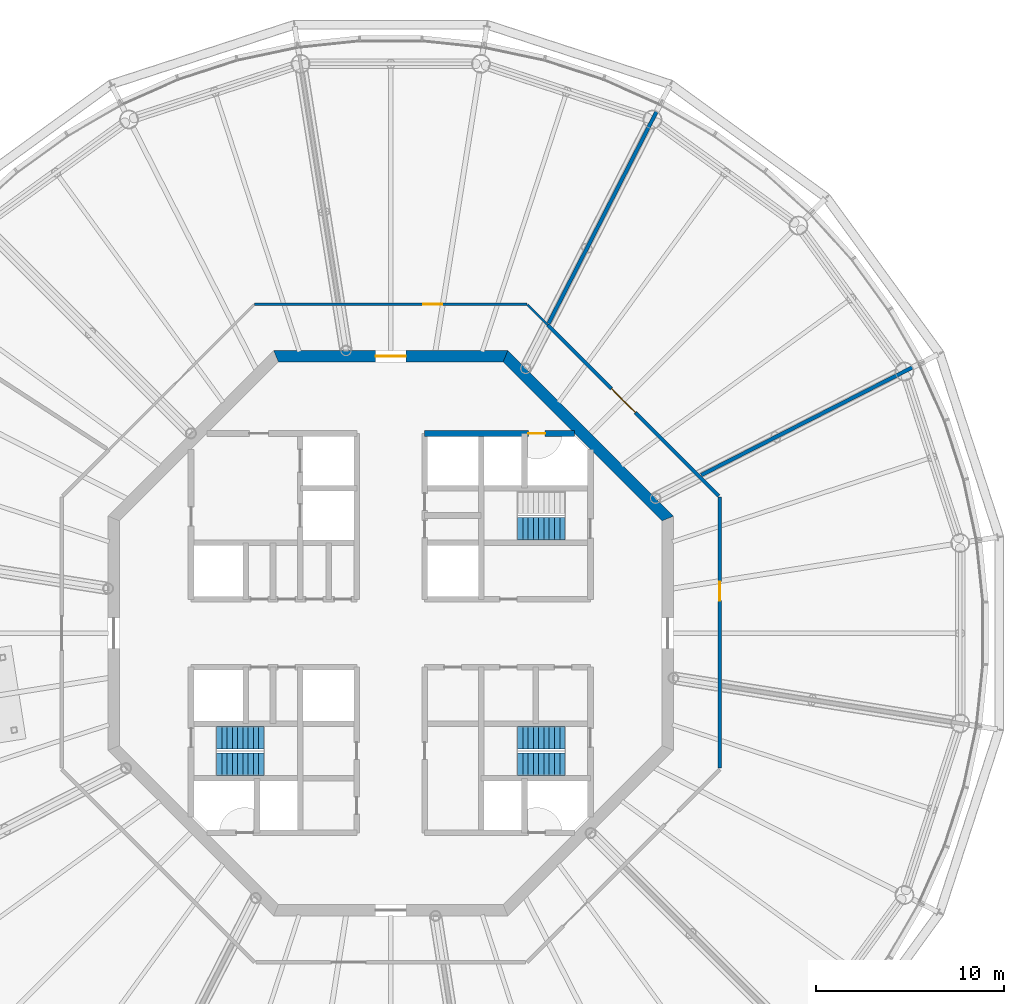
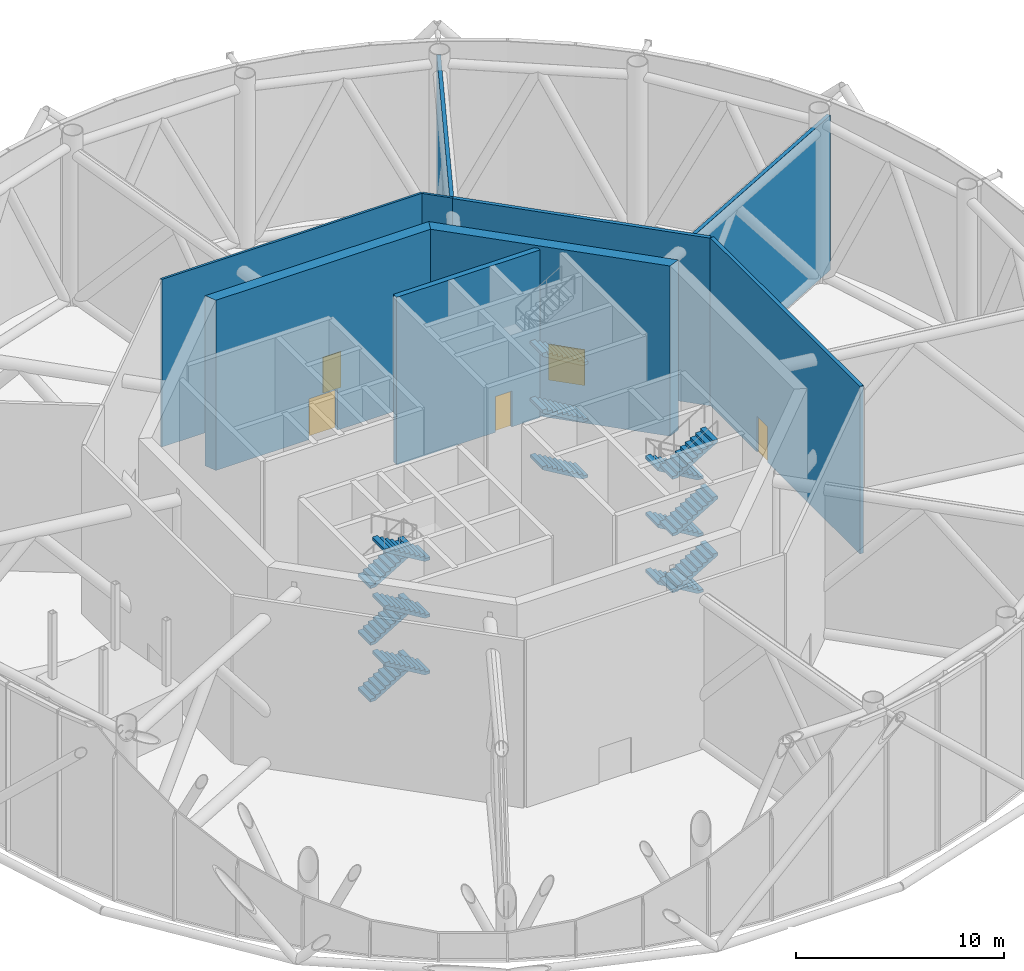
# One storey, part 8 of 23: 15 stair flights, 9 walls, 5 doors, 5 openings, 3 elements without a shape of their own.
"""IFC4 building model written with IfcOpenShell, lengths in metres."""

from ifc_helpers import new_model, si_unit, direction, frame, frame_2d, origin, place, context, subcontext, project, spatial, polyline, rectangle, outline, extrude, material, layer, layer_set, type_object, element, fill, aggregate, save


model = new_model("IFC4")

# Units and contexts
model_context = context("Model", 3, precision=1e-05, world=origin(), true_north=direction((0.0, 1.0)))
body_context = subcontext(model_context, "Body", "Model", "MODEL_VIEW")
ifc_project = project(units=[si_unit("LENGTHUNIT", "METRE"), si_unit("AREAUNIT", "SQUARE_METRE"), si_unit("VOLUMEUNIT", "CUBIC_METRE"), si_unit("PLANEANGLEUNIT", "RADIAN"), si_unit("MASSUNIT", "GRAM", prefix="KILO")], contexts=[model_context])

# Site, building, storey
site_placement = place(None, origin())
site = spatial("IfcSite", under=ifc_project, at=site_placement, CompositionType="ELEMENT")
building_placement = place(site_placement, origin())
building = spatial("IfcBuilding", under=site, at=building_placement, Name="Entoto Ring Tower", CompositionType="ELEMENT")
storey_placement = place(building_placement, frame((0.0, 0.0, 392.0)))
storey = spatial("IfcBuildingStorey", under=building, at=storey_placement, Name="L91", CompositionType="ELEMENT", Elevation=392.0)

# Wall, opening, door
ifc_material_1 = material(Name="Concrete C40/50", Category="concrete")
ifc_layer_1 = layer(ifc_material_1, 0.300048828125)
ifc_layer_set_1 = layer_set([ifc_layer_1], Name="Concrete C40/50")
wall_type_1 = type_object("IfcWallType", Name="Core enclosure wall 300 mm reinforced concrete", PredefinedType="SOLIDWALL", material=ifc_layer_set_1)
wall_1_placement = place(storey_placement, frame((91.800048828125, 90.60009765625, 0.0), z_axis=(0.0, 0.0, 1.0), x_axis=(1.0, 0.0, 0.0)))
wall_1 = element("IfcWall", 1, at=wall_1_placement, inside=storey, type_object=wall_type_1, Name="wall-L91-038", PredefinedType="SOLIDWALL", context=body_context, shape_type="SweptSolid", body=[
    extrude(rectangle(XDim=7.964599609375, YDim=0.300048828125, at=frame_2d((3.982421875, 0.0))), origin(), (0.0, 0.0, 1.0), 9.85009765625),
])
opening_1_placement = place(wall_1_placement, frame((5.5, 0.0, 0.0)))
opening_1 = element("IfcOpeningElement", 2, at=opening_1_placement, cuts=wall_1, Name="Opening K-72", PredefinedType="OPENING", context=body_context, shape_type="SweptSolid", body=[
    extrude(rectangle(XDim=0.89990234375, YDim=2.10009765625, at=frame_2d((0.449951171875, 1.050048828125))), frame((0.0, 0.16015625, 0.0), z_axis=(0.0, -1.0, 0.0), x_axis=(1.0, 0.0, 0.0)), (0.0, 0.0, 1.0), 0.320068359375),
])
ifc_material_2 = material(Name="Steel door leaf, fire rated", Category="steel")
ifc_layer_2 = layer(ifc_material_2, 0.050048828125)
ifc_layer_set_2 = layer_set([ifc_layer_2], Name="Steel door leaf, fire rated")
door_type_1 = type_object("IfcDoorType", Name="Riser door FD60 900 x 2100 single leaf", OperationType="NOTDEFINED", PredefinedType="DOOR", material=ifc_layer_set_2)
door_1_placement = place(opening_1_placement, frame((0.89990234375, 0.0, 0.0), z_axis=(0.0, 0.0, 1.0), x_axis=(-1.0, 0.0, 0.0)))
door_1 = element("IfcDoor", 3, at=door_1_placement, inside=storey, type_object=door_type_1, Name="Door K-72", OperationType="SINGLE_SWING_LEFT", OverallHeight=2.10009765625, OverallWidth=0.89990234375, PredefinedType="DOOR", context=body_context, shape_type="SweptSolid", body=[
    extrude(rectangle(XDim=0.89990234375, YDim=2.10009765625, at=frame_2d((0.449951171875, 1.050048828125))), frame((0.0, 0.02490234375, 0.0), z_axis=(0.0, -1.0, 0.0), x_axis=(1.0, 0.0, 0.0)), (0.0, 0.0, 1.0), 0.050048828125),
])
fill(opening_1, door_1)

# Wall
ifc_material_3 = material(Name="Concrete C40/50", Category="concrete")
ifc_layer_3 = layer(ifc_material_3, 0.60009765625)
ifc_layer_set_3 = layer_set([ifc_layer_3], Name="Concrete C40/50")
wall_type_2 = type_object("IfcWallType", Name="Core shear wall 600 mm reinforced concrete C40/50", PredefinedType="SHEAR", material=ifc_layer_set_3)
wall_2_placement = place(storey_placement, frame((104.699951171875, 86.0888671875, 0.0), z_axis=(0.0, 0.0, 1.0), x_axis=(-0.707106781187, 0.707106781187, 0.0)))
element("IfcWall", 4, at=wall_2_placement, inside=storey, type_object=wall_type_2, Name="wall-L91-core-1", PredefinedType="SHEAR", context=body_context, shape_type="SweptSolid", body=[
    extrude(outline(polyline([(-0.124267578125, -0.300048828125), (12.30224609375, -0.300048828125), (12.0537109375, 0.300048828125), (0.124267578125, 0.300048828125), (-0.124267578125, -0.300048828125)])), origin(), (0.0, 0.0, 1.0), 10.0),
])

# Wall, opening, door
wall_3_placement = place(storey_placement, frame((96.0888671875, 94.699951171875, 0.0), z_axis=(0.0, 0.0, 1.0), x_axis=(-1.0, 0.0, 0.0)))
wall_3 = element("IfcWall", 5, at=wall_3_placement, inside=storey, type_object=wall_type_2, Name="wall-L91-core-2", PredefinedType="SHEAR", context=body_context, shape_type="SweptSolid", body=[
    extrude(outline(polyline([(-0.124267578125, -0.300048828125), (12.302001953125, -0.300048828125), (12.053466796875, 0.300048828125), (0.124267578125, 0.300048828125), (-0.124267578125, -0.300048828125)])), origin(), (0.0, 0.0, 1.0), 10.0),
])
opening_2_placement = place(wall_3_placement, frame((5.288818359375, 0.0, 0.0)))
opening_2 = element("IfcOpeningElement", 6, at=opening_2_placement, cuts=wall_3, Name="Opening K-02", PredefinedType="OPENING", context=body_context, shape_type="SweptSolid", body=[
    extrude(rectangle(XDim=1.60009765625, YDim=2.39990234375, at=frame_2d((0.800048828125, 1.199951171875))), frame((0.0, 0.31005859375, 0.0), z_axis=(0.0, -1.0, 0.0), x_axis=(1.0, 0.0, 0.0)), (0.0, 0.0, 1.0), 0.6201171875),
])
ifc_material_4 = material(Name="Steel door leaf, fire rated", Category="steel")
ifc_layer_4 = layer(ifc_material_4, 0.050048828125)
ifc_layer_set_4 = layer_set([ifc_layer_4], Name="Steel door leaf, fire rated")
door_type_2 = type_object("IfcDoorType", Name="Entrance door FD60 1600 x 2400 double leaf", OperationType="DOUBLE_DOOR_SINGLE_SWING", PredefinedType="DOOR", material=ifc_layer_set_4)
door_2_placement = place(opening_2_placement, origin())
door_2 = element("IfcDoor", 7, at=door_2_placement, inside=storey, type_object=door_type_2, Name="Entrance door K-02", OperationType="DOUBLE_DOOR_SINGLE_SWING", OverallHeight=2.39990234375, OverallWidth=1.60009765625, PredefinedType="DOOR", context=body_context, shape_type="SweptSolid", body=[
    extrude(rectangle(XDim=1.60009765625, YDim=2.39990234375, at=frame_2d((0.800048828125, 1.199951171875))), frame((0.0, 0.02490234375, 0.0), z_axis=(0.0, -1.0, 0.0), x_axis=(1.0, 0.0, 0.0)), (0.0, 0.0, 1.0), 0.050048828125),
])
fill(opening_2, door_2)

ifc_material_5 = material(Name="Fire-resisting plasterboard on steel studs", Category="steel")
ifc_layer_5 = layer(ifc_material_5, 0.125)
ifc_layer_set_5 = layer_set([ifc_layer_5], Name="Fire-resisting plasterboard on steel studs")
wall_type_3 = type_object("IfcWallType", Name="Corridor wall 125 mm one-hour plasterboard on steel studs", PredefinedType="PARTITIONING", material=ifc_layer_set_5)
wall_4_placement = place(storey_placement, frame((82.766845703125, 97.46240234375, 0.0), z_axis=(0.0, 0.0, 1.0), x_axis=(1.0, 0.0, 0.0)))
wall_4 = element("IfcWall", 8, at=wall_4_placement, inside=storey, type_object=wall_type_3, Name="partition-L91-001", PredefinedType="PARTITIONING", context=body_context, shape_type="SweptSolid", body=[
    extrude(rectangle(XDim=14.46630859375, YDim=0.125, at=frame_2d((7.233154296875, 0.0))), origin(), (0.0, 0.0, 1.0), 9.85009765625),
])
opening_3_placement = place(wall_4_placement, frame((8.966796875, 0.0, 0.0)))
opening_3 = element("IfcOpeningElement", 9, at=opening_3_placement, cuts=wall_4, Name="Opening A39-D07", PredefinedType="OPENING", context=body_context, shape_type="SweptSolid", body=[
    extrude(rectangle(XDim=1.0, YDim=2.10009765625, at=frame_2d((0.5, 1.050048828125))), frame((0.0, 0.072509765625, 0.0), z_axis=(0.0, -1.0, 0.0), x_axis=(1.0, 0.0, 0.0)), (0.0, 0.0, 1.0), 0.14501953125),
])
ifc_material_6 = material(Name="Fire-resisting timber door set", Category="wood")
door_type_3 = type_object("IfcDoorType", Name="Door 1000 x 2100 single leaf FD30S fire door", OperationType="NOTDEFINED", PredefinedType="DOOR", material=ifc_material_6)
door_3_placement = place(opening_3_placement, origin())
door_3 = element("IfcDoor", 10, at=door_3_placement, inside=storey, type_object=door_type_3, Name="Door A39-D07", OperationType="SINGLE_SWING_LEFT", OverallHeight=2.10009765625, OverallWidth=1.0, PredefinedType="DOOR", context=body_context, shape_type="SweptSolid", body=[
    extrude(rectangle(XDim=1.0, YDim=2.10009765625, at=frame_2d((0.5, 1.050048828125))), frame((0.0, 0.02490234375, 0.0), z_axis=(0.0, -1.0, 0.0), x_axis=(1.0, 0.0, 0.0)), (0.0, 0.0, 1.0), 0.050048828125),
])
fill(opening_3, door_3)

# Wall
wall_5_placement = place(storey_placement, frame((98.335693359375, 96.35986328125, 0.0), z_axis=(0.0, 0.0, 1.0), x_axis=(-0.70702621299, 0.707187340204, 0.0)))
element("IfcWall", 11, at=wall_5_placement, inside=storey, type_object=wall_type_3, Name="partition-L91-003", PredefinedType="PARTITIONING", context=body_context, shape_type="SweptSolid", body=[
    extrude(rectangle(XDim=1.51513671875, YDim=0.125, at=frame_2d((0.757568359375, 0.0))), origin(), (0.0, 0.0, 1.0), 9.85009765625),
])

# Wall, opening, door
ifc_material_7 = material(Name="Concrete C20/25", Category="concrete")
ifc_layer_6 = layer(ifc_material_7, 0.199951171875)
ifc_layer_set_6 = layer_set([ifc_layer_6], Name="Concrete C20/25")
wall_type_4 = type_object("IfcWallType", Name="Plant room wall 200 mm two-hour concrete", PredefinedType="PARTITIONING", material=ifc_layer_set_6)
wall_6_placement = place(storey_placement, frame((107.46240234375, 72.83740234375, 0.0), z_axis=(0.0, 0.0, 1.0), x_axis=(0.0, 1.0, 0.0)))
wall_6 = element("IfcWall", 12, at=wall_6_placement, inside=storey, type_object=wall_type_4, Name="partition-L91-009", PredefinedType="PARTITIONING", context=body_context, shape_type="SweptSolid", body=[
    extrude(rectangle(XDim=14.395751953125, YDim=0.199951171875, at=frame_2d((7.19775390625, 0.0))), origin(), (0.0, 0.0, 1.0), 9.85009765625),
])
opening_4_placement = place(wall_6_placement, frame((8.896484375, 0.0, 0.0)))
opening_4 = element("IfcOpeningElement", 13, at=opening_4_placement, cuts=wall_6, Name="Opening A39-D05", PredefinedType="OPENING", context=body_context, shape_type="SweptSolid", body=[
    extrude(rectangle(XDim=1.0, YDim=2.10009765625, at=frame_2d((0.5, 1.050048828125))), frame((0.0, 0.10986328125, 0.0), z_axis=(0.0, -1.0, 0.0), x_axis=(1.0, 0.0, 0.0)), (0.0, 0.0, 1.0), 0.219970703125),
])
ifc_material_8 = material(Name="Fire-resisting steel door set", Category="steel")
door_type_4 = type_object("IfcDoorType", Name="Door 1000 x 2100 single leaf FD60 steel door", OperationType="NOTDEFINED", PredefinedType="DOOR", material=ifc_material_8)
door_4_placement = place(opening_4_placement, frame((1.0, 0.0, 0.0), z_axis=(0.0, 0.0, 1.0), x_axis=(-1.0, 0.0, 0.0)))
door_4 = element("IfcDoor", 14, at=door_4_placement, inside=storey, type_object=door_type_4, Name="Door A39-D05", OperationType="SINGLE_SWING_RIGHT", OverallHeight=2.10009765625, OverallWidth=1.0, PredefinedType="DOOR", context=body_context, shape_type="SweptSolid", body=[
    extrude(rectangle(XDim=1.0, YDim=2.10009765625, at=frame_2d((0.5, 1.050048828125))), frame((0.0, 0.02490234375, 0.0), z_axis=(0.0, -1.0, 0.0), x_axis=(1.0, 0.0, 0.0)), (0.0, 0.0, 1.0), 0.050048828125),
])
fill(opening_4, door_4)

wall_7_placement = place(storey_placement, frame((107.41259765625, 87.283203125, 0.0), z_axis=(0.0, 0.0, 1.0), x_axis=(-0.707116290742, 0.707097271503, 0.0)))
wall_7 = element("IfcWall", 15, at=wall_7_placement, inside=storey, type_object=wall_type_4, Name="partition-L91-017", PredefinedType="PARTITIONING", context=body_context, shape_type="SweptSolid", body=[
    extrude(rectangle(XDim=12.83642578125, YDim=0.199951171875, at=frame_2d((6.418212890625, 0.0))), origin(), (0.0, 0.0, 1.0), 9.85009765625),
])
opening_5_placement = place(wall_7_placement, frame((6.2626953125, 0.0, 0.0)))
opening_5 = element("IfcOpeningElement", 16, at=opening_5_placement, cuts=wall_7, Name="Opening A39-D06", PredefinedType="OPENING", context=body_context, shape_type="SweptSolid", body=[
    extrude(rectangle(XDim=1.800048828125, YDim=2.10009765625, at=frame_2d((0.89990234375, 1.050048828125))), frame((0.0, 0.10986328125, 0.0), z_axis=(0.0, -1.0, 0.0), x_axis=(1.0, 0.0, 0.0)), (0.0, 0.0, 1.0), 0.219970703125),
])
ifc_material_9 = material(Name="Fire-resisting steel door set", Category="steel")
door_type_5 = type_object("IfcDoorType", Name="Door 1800 x 2100 double leaf FD60 steel door", OperationType="DOUBLE_DOOR_SINGLE_SWING", PredefinedType="DOOR", material=ifc_material_9)
door_5_placement = place(opening_5_placement, frame((1.800048828125, 0.0, 0.0), z_axis=(0.0, 0.0, 1.0), x_axis=(-1.0, 0.0, 0.0)))
door_5 = element("IfcDoor", 17, at=door_5_placement, inside=storey, type_object=door_type_5, Name="Door A39-D06", OperationType="DOUBLE_DOOR_SINGLE_SWING", OverallHeight=2.10009765625, OverallWidth=1.800048828125, PredefinedType="DOOR", context=body_context, shape_type="SweptSolid", body=[
    extrude(rectangle(XDim=1.800048828125, YDim=2.10009765625, at=frame_2d((0.89990234375, 1.050048828125))), frame((0.0, 0.02490234375, 0.0), z_axis=(0.0, -1.0, 0.0), x_axis=(1.0, 0.0, 0.0)), (0.0, 0.0, 1.0), 0.050048828125),
])
fill(opening_5, door_5)

# Walls
ifc_material_10 = material(Name="Concrete C20/25", Category="concrete")
ifc_layer_7 = layer(ifc_material_10, 0.199951171875)
ifc_layer_set_7 = layer_set([ifc_layer_7], Name="Concrete C20/25")
wall_type_5 = type_object("IfcWallType", Name="Plant room wall 200 mm two-hour concrete, 9097 mm high", PredefinedType="PARTITIONING", material=ifc_layer_set_7)
wall_8_placement = place(storey_placement, frame((98.38037109375, 96.447265625, 0.0), z_axis=(0.0, 0.0, 1.0), x_axis=(0.453986637786, 0.891008491941, 0.0)))
element("IfcWall", 18, at=wall_8_placement, inside=storey, type_object=wall_type_5, Name="partition-L91-015", PredefinedType="PARTITIONING", context=body_context, shape_type="SweptSolid", body=[
    extrude(rectangle(XDim=12.980712890625, YDim=0.199951171875, at=frame_2d((6.490234375, 0.0))), origin(), (0.0, 0.0, 1.0), 9.096923828125),
])
wall_9_placement = place(storey_placement, frame((106.482421875, 88.398193359375, 0.0), z_axis=(0.0, 0.0, 1.0), x_axis=(0.891005661711, 0.453992192443, 0.0)))
element("IfcWall", 19, at=wall_9_placement, inside=storey, type_object=wall_type_5, Name="partition-L91-016", PredefinedType="PARTITIONING", context=body_context, shape_type="SweptSolid", body=[
    extrude(rectangle(XDim=12.94140625, YDim=0.199951171875, at=frame_2d((6.470703125, 0.0))), origin(), (0.0, 0.0, 1.0), 9.096923828125),
])

# Stair, stair flights
ifc_material_11 = material(Name="Concrete C40/50", Category="concrete")
stair_type = type_object("IfcStairType", Name="Exit stair 1200 mm dog-leg reinforced concrete", PredefinedType="HALF_TURN_STAIR", material=ifc_material_11)
stair_1_placement = place(storey_placement, origin())
stair_1 = element("IfcStair", 20, at=stair_1_placement, inside=storey, type_object=stair_type, Name="Exit stair 1", PredefinedType="HALF_TURN_STAIR")
ifc_material_12 = material(Name="Concrete C40/50", Category="concrete")
stair_flight_type = type_object("IfcStairFlightType", Name="Stair flight 1200 mm reinforced concrete", PredefinedType="STRAIGHT", material=ifc_material_12)
stair_flight_1_placement = place(storey_placement, frame((99.25, 85.550048828125, 0.0), z_axis=(0.0, 0.0, 1.0), x_axis=(-1.0, 0.0, 0.0)))
stair_flight_1 = element("IfcStairFlight", 21, at=stair_flight_1_placement, type_object=stair_flight_type, Name="ST1 flight 1", NumberOfRisers=10, NumberOfTreads=9, PredefinedType="STRAIGHT", RiserHeight=0.166666667, TreadLength=0.28, context=body_context, shape_type="SweptSolid", body=[
    extrude(outline(polyline([(0.0, 0.0), (0.0, 0.166748046875), (0.280029296875, 0.166748046875), (0.280029296875, 0.333251953125), (0.56005859375, 0.333251953125), (0.56005859375, 0.5), (0.840087890625, 0.5), (0.840087890625, 0.666748046875), (1.1201171875, 0.666748046875), (1.1201171875, 0.833251953125), (1.39990234375, 0.833251953125), (1.39990234375, 1.0), (1.679931640625, 1.0), (1.679931640625, 1.166748046875), (1.9599609375, 1.166748046875), (1.9599609375, 1.333251953125), (2.239990234375, 1.333251953125), (2.239990234375, 1.5), (2.52001953125, 1.5), (2.52001953125, 1.666748046875), (2.52001953125, 1.325439453125), (0.29296875, 0.0), (0.0, 0.0)])), frame((0.0, 0.60009765625, 0.0), z_axis=(0.0, -1.0, 0.0), x_axis=(1.0, 0.0, 0.0)), (0.0, 0.0, 1.0), 1.199951171875),
])
stair_flight_2_placement = place(storey_placement, frame((99.25, 85.550048828125, 3.333251953125), z_axis=(0.0, 0.0, 1.0), x_axis=(-1.0, 0.0, 0.0)))
stair_flight_2 = element("IfcStairFlight", 22, at=stair_flight_2_placement, type_object=stair_flight_type, Name="ST1 flight 3", NumberOfRisers=10, NumberOfTreads=9, PredefinedType="STRAIGHT", RiserHeight=0.166666667, TreadLength=0.28, context=body_context, shape_type="SweptSolid", body=[
    extrude(outline(polyline([(0.0, 0.0), (0.0, 0.166748046875), (0.280029296875, 0.166748046875), (0.280029296875, 0.333251953125), (0.56005859375, 0.333251953125), (0.56005859375, 0.5), (0.840087890625, 0.5), (0.840087890625, 0.666748046875), (1.1201171875, 0.666748046875), (1.1201171875, 0.833251953125), (1.39990234375, 0.833251953125), (1.39990234375, 1.0), (1.679931640625, 1.0), (1.679931640625, 1.166748046875), (1.9599609375, 1.166748046875), (1.9599609375, 1.333251953125), (2.239990234375, 1.333251953125), (2.239990234375, 1.5), (2.52001953125, 1.5), (2.52001953125, 1.666748046875), (2.52001953125, 1.325439453125), (0.29296875, 0.0), (0.0, 0.0)])), frame((0.0, 0.60009765625, 0.0), z_axis=(0.0, -1.0, 0.0), x_axis=(1.0, 0.0, 0.0)), (0.0, 0.0, 1.0), 1.199951171875),
])
stair_flight_3_placement = place(storey_placement, frame((99.25, 85.550048828125, 6.666748046875), z_axis=(0.0, 0.0, 1.0), x_axis=(-1.0, 0.0, 0.0)))
stair_flight_3 = element("IfcStairFlight", 23, at=stair_flight_3_placement, type_object=stair_flight_type, Name="ST1 flight 5", NumberOfRisers=10, NumberOfTreads=9, PredefinedType="STRAIGHT", RiserHeight=0.166666667, TreadLength=0.28, context=body_context, shape_type="SweptSolid", body=[
    extrude(outline(polyline([(0.0, 0.0), (0.0, 0.166748046875), (0.280029296875, 0.166748046875), (0.280029296875, 0.333251953125), (0.56005859375, 0.333251953125), (0.56005859375, 0.5), (0.840087890625, 0.5), (0.840087890625, 0.666748046875), (1.1201171875, 0.666748046875), (1.1201171875, 0.833251953125), (1.39990234375, 0.833251953125), (1.39990234375, 1.0), (1.679931640625, 1.0), (1.679931640625, 1.166748046875), (1.9599609375, 1.166748046875), (1.9599609375, 1.333251953125), (2.239990234375, 1.333251953125), (2.239990234375, 1.5), (2.52001953125, 1.5), (2.52001953125, 1.666748046875), (2.52001953125, 1.325439453125), (0.29296875, 0.0), (0.0, 0.0)])), frame((0.0, 0.60009765625, 0.0), z_axis=(0.0, -1.0, 0.0), x_axis=(1.0, 0.0, 0.0)), (0.0, 0.0, 1.0), 1.199951171875),
])
aggregate(stair_1, [stair_flight_1, stair_flight_2, stair_flight_3])

stair_2_placement = place(storey_placement, origin())
stair_2 = element("IfcStair", 24, at=stair_2_placement, inside=storey, type_object=stair_type, Name="Exit stair 2", PredefinedType="HALF_TURN_STAIR")
stair_flight_4_placement = place(storey_placement, frame((80.75, 74.449951171875, 0.0), z_axis=(0.0, 0.0, 1.0), x_axis=(1.0, 0.0, 0.0)))
stair_flight_4 = element("IfcStairFlight", 25, at=stair_flight_4_placement, type_object=stair_flight_type, Name="ST2 flight 1", NumberOfRisers=10, NumberOfTreads=9, PredefinedType="STRAIGHT", RiserHeight=0.166666667, TreadLength=0.28, context=body_context, shape_type="SweptSolid", body=[
    extrude(outline(polyline([(0.0, 0.0), (0.0, 0.166748046875), (0.280029296875, 0.166748046875), (0.280029296875, 0.333251953125), (0.56005859375, 0.333251953125), (0.56005859375, 0.5), (0.840087890625, 0.5), (0.840087890625, 0.666748046875), (1.1201171875, 0.666748046875), (1.1201171875, 0.833251953125), (1.39990234375, 0.833251953125), (1.39990234375, 1.0), (1.679931640625, 1.0), (1.679931640625, 1.166748046875), (1.9599609375, 1.166748046875), (1.9599609375, 1.333251953125), (2.239990234375, 1.333251953125), (2.239990234375, 1.5), (2.52001953125, 1.5), (2.52001953125, 1.666748046875), (2.52001953125, 1.325439453125), (0.29296875, 0.0), (0.0, 0.0)])), frame((0.0, 0.60009765625, 0.0), z_axis=(0.0, -1.0, 0.0), x_axis=(1.0, 0.0, 0.0)), (0.0, 0.0, 1.0), 1.199951171875),
])
stair_flight_5_placement = place(storey_placement, frame((83.27001953125, 73.050048828125, 1.666748046875), z_axis=(0.0, 0.0, 1.0), x_axis=(-1.0, 0.0, 0.0)))
stair_flight_5 = element("IfcStairFlight", 26, at=stair_flight_5_placement, type_object=stair_flight_type, Name="ST2 flight 2", NumberOfRisers=10, NumberOfTreads=9, PredefinedType="STRAIGHT", RiserHeight=0.166666667, TreadLength=0.28, context=body_context, shape_type="SweptSolid", body=[
    extrude(outline(polyline([(0.0, 0.0), (0.0, 0.166748046875), (0.280029296875, 0.166748046875), (0.280029296875, 0.333251953125), (0.56005859375, 0.333251953125), (0.56005859375, 0.5), (0.840087890625, 0.5), (0.840087890625, 0.666748046875), (1.1201171875, 0.666748046875), (1.1201171875, 0.833251953125), (1.39990234375, 0.833251953125), (1.39990234375, 1.0), (1.679931640625, 1.0), (1.679931640625, 1.166748046875), (1.9599609375, 1.166748046875), (1.9599609375, 1.333251953125), (2.239990234375, 1.333251953125), (2.239990234375, 1.5), (2.52001953125, 1.5), (2.52001953125, 1.666748046875), (2.52001953125, 1.325439453125), (0.29296875, 0.0), (0.0, 0.0)])), frame((0.0, 0.60009765625, 0.0), z_axis=(0.0, -1.0, 0.0), x_axis=(1.0, 0.0, 0.0)), (0.0, 0.0, 1.0), 1.199951171875),
])
stair_flight_6_placement = place(storey_placement, frame((80.75, 74.449951171875, 3.333251953125), z_axis=(0.0, 0.0, 1.0), x_axis=(1.0, 0.0, 0.0)))
stair_flight_6 = element("IfcStairFlight", 27, at=stair_flight_6_placement, type_object=stair_flight_type, Name="ST2 flight 3", NumberOfRisers=10, NumberOfTreads=9, PredefinedType="STRAIGHT", RiserHeight=0.166666667, TreadLength=0.28, context=body_context, shape_type="SweptSolid", body=[
    extrude(outline(polyline([(0.0, 0.0), (0.0, 0.166748046875), (0.280029296875, 0.166748046875), (0.280029296875, 0.333251953125), (0.56005859375, 0.333251953125), (0.56005859375, 0.5), (0.840087890625, 0.5), (0.840087890625, 0.666748046875), (1.1201171875, 0.666748046875), (1.1201171875, 0.833251953125), (1.39990234375, 0.833251953125), (1.39990234375, 1.0), (1.679931640625, 1.0), (1.679931640625, 1.166748046875), (1.9599609375, 1.166748046875), (1.9599609375, 1.333251953125), (2.239990234375, 1.333251953125), (2.239990234375, 1.5), (2.52001953125, 1.5), (2.52001953125, 1.666748046875), (2.52001953125, 1.325439453125), (0.29296875, 0.0), (0.0, 0.0)])), frame((0.0, 0.60009765625, 0.0), z_axis=(0.0, -1.0, 0.0), x_axis=(1.0, 0.0, 0.0)), (0.0, 0.0, 1.0), 1.199951171875),
])
stair_flight_7_placement = place(storey_placement, frame((83.27001953125, 73.050048828125, 5.0), z_axis=(0.0, 0.0, 1.0), x_axis=(-1.0, 0.0, 0.0)))
stair_flight_7 = element("IfcStairFlight", 28, at=stair_flight_7_placement, type_object=stair_flight_type, Name="ST2 flight 4", NumberOfRisers=10, NumberOfTreads=9, PredefinedType="STRAIGHT", RiserHeight=0.166666667, TreadLength=0.28, context=body_context, shape_type="SweptSolid", body=[
    extrude(outline(polyline([(0.0, 0.0), (0.0, 0.166748046875), (0.280029296875, 0.166748046875), (0.280029296875, 0.333251953125), (0.56005859375, 0.333251953125), (0.56005859375, 0.5), (0.840087890625, 0.5), (0.840087890625, 0.666748046875), (1.1201171875, 0.666748046875), (1.1201171875, 0.833251953125), (1.39990234375, 0.833251953125), (1.39990234375, 1.0), (1.679931640625, 1.0), (1.679931640625, 1.166748046875), (1.9599609375, 1.166748046875), (1.9599609375, 1.333251953125), (2.239990234375, 1.333251953125), (2.239990234375, 1.5), (2.52001953125, 1.5), (2.52001953125, 1.666748046875), (2.52001953125, 1.325439453125), (0.29296875, 0.0), (0.0, 0.0)])), frame((0.0, 0.60009765625, 0.0), z_axis=(0.0, -1.0, 0.0), x_axis=(1.0, 0.0, 0.0)), (0.0, 0.0, 1.0), 1.199951171875),
])
stair_flight_8_placement = place(storey_placement, frame((80.75, 74.449951171875, 6.666748046875), z_axis=(0.0, 0.0, 1.0), x_axis=(1.0, 0.0, 0.0)))
stair_flight_8 = element("IfcStairFlight", 29, at=stair_flight_8_placement, type_object=stair_flight_type, Name="ST2 flight 5", NumberOfRisers=10, NumberOfTreads=9, PredefinedType="STRAIGHT", RiserHeight=0.166666667, TreadLength=0.28, context=body_context, shape_type="SweptSolid", body=[
    extrude(outline(polyline([(0.0, 0.0), (0.0, 0.166748046875), (0.280029296875, 0.166748046875), (0.280029296875, 0.333251953125), (0.56005859375, 0.333251953125), (0.56005859375, 0.5), (0.840087890625, 0.5), (0.840087890625, 0.666748046875), (1.1201171875, 0.666748046875), (1.1201171875, 0.833251953125), (1.39990234375, 0.833251953125), (1.39990234375, 1.0), (1.679931640625, 1.0), (1.679931640625, 1.166748046875), (1.9599609375, 1.166748046875), (1.9599609375, 1.333251953125), (2.239990234375, 1.333251953125), (2.239990234375, 1.5), (2.52001953125, 1.5), (2.52001953125, 1.666748046875), (2.52001953125, 1.325439453125), (0.29296875, 0.0), (0.0, 0.0)])), frame((0.0, 0.60009765625, 0.0), z_axis=(0.0, -1.0, 0.0), x_axis=(1.0, 0.0, 0.0)), (0.0, 0.0, 1.0), 1.199951171875),
])
stair_flight_9_placement = place(storey_placement, frame((83.27001953125, 73.050048828125, 8.333251953125), z_axis=(0.0, 0.0, 1.0), x_axis=(-1.0, 0.0, 0.0)))
stair_flight_9 = element("IfcStairFlight", 30, at=stair_flight_9_placement, type_object=stair_flight_type, Name="ST2 flight 6", NumberOfRisers=10, NumberOfTreads=9, PredefinedType="STRAIGHT", RiserHeight=0.166666667, TreadLength=0.28, context=body_context, shape_type="SweptSolid", body=[
    extrude(outline(polyline([(0.0, 0.0), (0.0, 0.166748046875), (0.280029296875, 0.166748046875), (0.280029296875, 0.333251953125), (0.56005859375, 0.333251953125), (0.56005859375, 0.5), (0.840087890625, 0.5), (0.840087890625, 0.666748046875), (1.1201171875, 0.666748046875), (1.1201171875, 0.833251953125), (1.39990234375, 0.833251953125), (1.39990234375, 1.0), (1.679931640625, 1.0), (1.679931640625, 1.166748046875), (1.9599609375, 1.166748046875), (1.9599609375, 1.333251953125), (2.239990234375, 1.333251953125), (2.239990234375, 1.5), (2.52001953125, 1.5), (2.52001953125, 1.666748046875), (2.52001953125, 1.325439453125), (0.29296875, 0.0), (0.0, 0.0)])), frame((0.0, 0.60009765625, 0.0), z_axis=(0.0, -1.0, 0.0), x_axis=(1.0, 0.0, 0.0)), (0.0, 0.0, 1.0), 1.199951171875),
])
aggregate(stair_2, [stair_flight_4, stair_flight_5, stair_flight_6, stair_flight_7, stair_flight_8, stair_flight_9])

stair_3_placement = place(storey_placement, origin())
stair_3 = element("IfcStair", 31, at=stair_3_placement, inside=storey, type_object=stair_type, Name="Exit stair 3", PredefinedType="HALF_TURN_STAIR")
stair_flight_10_placement = place(storey_placement, frame((99.25, 74.449951171875, 0.0), z_axis=(0.0, 0.0, 1.0), x_axis=(-1.0, 0.0, 0.0)))
stair_flight_10 = element("IfcStairFlight", 32, at=stair_flight_10_placement, type_object=stair_flight_type, Name="ST3 flight 1", NumberOfRisers=10, NumberOfTreads=9, PredefinedType="STRAIGHT", RiserHeight=0.166666667, TreadLength=0.28, context=body_context, shape_type="SweptSolid", body=[
    extrude(outline(polyline([(0.0, 0.0), (0.0, 0.166748046875), (0.280029296875, 0.166748046875), (0.280029296875, 0.333251953125), (0.56005859375, 0.333251953125), (0.56005859375, 0.5), (0.840087890625, 0.5), (0.840087890625, 0.666748046875), (1.1201171875, 0.666748046875), (1.1201171875, 0.833251953125), (1.39990234375, 0.833251953125), (1.39990234375, 1.0), (1.679931640625, 1.0), (1.679931640625, 1.166748046875), (1.9599609375, 1.166748046875), (1.9599609375, 1.333251953125), (2.239990234375, 1.333251953125), (2.239990234375, 1.5), (2.52001953125, 1.5), (2.52001953125, 1.666748046875), (2.52001953125, 1.325439453125), (0.29296875, 0.0), (0.0, 0.0)])), frame((0.0, 0.60009765625, 0.0), z_axis=(0.0, -1.0, 0.0), x_axis=(1.0, 0.0, 0.0)), (0.0, 0.0, 1.0), 1.199951171875),
])
stair_flight_11_placement = place(storey_placement, frame((96.72998046875, 73.050048828125, 1.666748046875), z_axis=(0.0, 0.0, 1.0), x_axis=(1.0, 0.0, 0.0)))
stair_flight_11 = element("IfcStairFlight", 33, at=stair_flight_11_placement, type_object=stair_flight_type, Name="ST3 flight 2", NumberOfRisers=10, NumberOfTreads=9, PredefinedType="STRAIGHT", RiserHeight=0.166666667, TreadLength=0.28, context=body_context, shape_type="SweptSolid", body=[
    extrude(outline(polyline([(0.0, 0.0), (0.0, 0.166748046875), (0.280029296875, 0.166748046875), (0.280029296875, 0.333251953125), (0.56005859375, 0.333251953125), (0.56005859375, 0.5), (0.840087890625, 0.5), (0.840087890625, 0.666748046875), (1.1201171875, 0.666748046875), (1.1201171875, 0.833251953125), (1.39990234375, 0.833251953125), (1.39990234375, 1.0), (1.679931640625, 1.0), (1.679931640625, 1.166748046875), (1.9599609375, 1.166748046875), (1.9599609375, 1.333251953125), (2.239990234375, 1.333251953125), (2.239990234375, 1.5), (2.52001953125, 1.5), (2.52001953125, 1.666748046875), (2.52001953125, 1.325439453125), (0.29296875, 0.0), (0.0, 0.0)])), frame((0.0, 0.60009765625, 0.0), z_axis=(0.0, -1.0, 0.0), x_axis=(1.0, 0.0, 0.0)), (0.0, 0.0, 1.0), 1.199951171875),
])
stair_flight_12_placement = place(storey_placement, frame((99.25, 74.449951171875, 3.333251953125), z_axis=(0.0, 0.0, 1.0), x_axis=(-1.0, 0.0, 0.0)))
stair_flight_12 = element("IfcStairFlight", 34, at=stair_flight_12_placement, type_object=stair_flight_type, Name="ST3 flight 3", NumberOfRisers=10, NumberOfTreads=9, PredefinedType="STRAIGHT", RiserHeight=0.166666667, TreadLength=0.28, context=body_context, shape_type="SweptSolid", body=[
    extrude(outline(polyline([(0.0, 0.0), (0.0, 0.166748046875), (0.280029296875, 0.166748046875), (0.280029296875, 0.333251953125), (0.56005859375, 0.333251953125), (0.56005859375, 0.5), (0.840087890625, 0.5), (0.840087890625, 0.666748046875), (1.1201171875, 0.666748046875), (1.1201171875, 0.833251953125), (1.39990234375, 0.833251953125), (1.39990234375, 1.0), (1.679931640625, 1.0), (1.679931640625, 1.166748046875), (1.9599609375, 1.166748046875), (1.9599609375, 1.333251953125), (2.239990234375, 1.333251953125), (2.239990234375, 1.5), (2.52001953125, 1.5), (2.52001953125, 1.666748046875), (2.52001953125, 1.325439453125), (0.29296875, 0.0), (0.0, 0.0)])), frame((0.0, 0.60009765625, 0.0), z_axis=(0.0, -1.0, 0.0), x_axis=(1.0, 0.0, 0.0)), (0.0, 0.0, 1.0), 1.199951171875),
])
stair_flight_13_placement = place(storey_placement, frame((96.72998046875, 73.050048828125, 5.0), z_axis=(0.0, 0.0, 1.0), x_axis=(1.0, 0.0, 0.0)))
stair_flight_13 = element("IfcStairFlight", 35, at=stair_flight_13_placement, type_object=stair_flight_type, Name="ST3 flight 4", NumberOfRisers=10, NumberOfTreads=9, PredefinedType="STRAIGHT", RiserHeight=0.166666667, TreadLength=0.28, context=body_context, shape_type="SweptSolid", body=[
    extrude(outline(polyline([(0.0, 0.0), (0.0, 0.166748046875), (0.280029296875, 0.166748046875), (0.280029296875, 0.333251953125), (0.56005859375, 0.333251953125), (0.56005859375, 0.5), (0.840087890625, 0.5), (0.840087890625, 0.666748046875), (1.1201171875, 0.666748046875), (1.1201171875, 0.833251953125), (1.39990234375, 0.833251953125), (1.39990234375, 1.0), (1.679931640625, 1.0), (1.679931640625, 1.166748046875), (1.9599609375, 1.166748046875), (1.9599609375, 1.333251953125), (2.239990234375, 1.333251953125), (2.239990234375, 1.5), (2.52001953125, 1.5), (2.52001953125, 1.666748046875), (2.52001953125, 1.325439453125), (0.29296875, 0.0), (0.0, 0.0)])), frame((0.0, 0.60009765625, 0.0), z_axis=(0.0, -1.0, 0.0), x_axis=(1.0, 0.0, 0.0)), (0.0, 0.0, 1.0), 1.199951171875),
])
stair_flight_14_placement = place(storey_placement, frame((99.25, 74.449951171875, 6.666748046875), z_axis=(0.0, 0.0, 1.0), x_axis=(-1.0, 0.0, 0.0)))
stair_flight_14 = element("IfcStairFlight", 36, at=stair_flight_14_placement, type_object=stair_flight_type, Name="ST3 flight 5", NumberOfRisers=10, NumberOfTreads=9, PredefinedType="STRAIGHT", RiserHeight=0.166666667, TreadLength=0.28, context=body_context, shape_type="SweptSolid", body=[
    extrude(outline(polyline([(0.0, 0.0), (0.0, 0.166748046875), (0.280029296875, 0.166748046875), (0.280029296875, 0.333251953125), (0.56005859375, 0.333251953125), (0.56005859375, 0.5), (0.840087890625, 0.5), (0.840087890625, 0.666748046875), (1.1201171875, 0.666748046875), (1.1201171875, 0.833251953125), (1.39990234375, 0.833251953125), (1.39990234375, 1.0), (1.679931640625, 1.0), (1.679931640625, 1.166748046875), (1.9599609375, 1.166748046875), (1.9599609375, 1.333251953125), (2.239990234375, 1.333251953125), (2.239990234375, 1.5), (2.52001953125, 1.5), (2.52001953125, 1.666748046875), (2.52001953125, 1.325439453125), (0.29296875, 0.0), (0.0, 0.0)])), frame((0.0, 0.60009765625, 0.0), z_axis=(0.0, -1.0, 0.0), x_axis=(1.0, 0.0, 0.0)), (0.0, 0.0, 1.0), 1.199951171875),
])
stair_flight_15_placement = place(storey_placement, frame((96.72998046875, 73.050048828125, 8.333251953125), z_axis=(0.0, 0.0, 1.0), x_axis=(1.0, 0.0, 0.0)))
stair_flight_15 = element("IfcStairFlight", 37, at=stair_flight_15_placement, type_object=stair_flight_type, Name="ST3 flight 6", NumberOfRisers=10, NumberOfTreads=9, PredefinedType="STRAIGHT", RiserHeight=0.166666667, TreadLength=0.28, context=body_context, shape_type="SweptSolid", body=[
    extrude(outline(polyline([(0.0, 0.0), (0.0, 0.166748046875), (0.280029296875, 0.166748046875), (0.280029296875, 0.333251953125), (0.56005859375, 0.333251953125), (0.56005859375, 0.5), (0.840087890625, 0.5), (0.840087890625, 0.666748046875), (1.1201171875, 0.666748046875), (1.1201171875, 0.833251953125), (1.39990234375, 0.833251953125), (1.39990234375, 1.0), (1.679931640625, 1.0), (1.679931640625, 1.166748046875), (1.9599609375, 1.166748046875), (1.9599609375, 1.333251953125), (2.239990234375, 1.333251953125), (2.239990234375, 1.5), (2.52001953125, 1.5), (2.52001953125, 1.666748046875), (2.52001953125, 1.325439453125), (0.29296875, 0.0), (0.0, 0.0)])), frame((0.0, 0.60009765625, 0.0), z_axis=(0.0, -1.0, 0.0), x_axis=(1.0, 0.0, 0.0)), (0.0, 0.0, 1.0), 1.199951171875),
])
aggregate(stair_3, [stair_flight_10, stair_flight_11, stair_flight_12, stair_flight_13, stair_flight_14, stair_flight_15])

save(model, "model.ifc")
